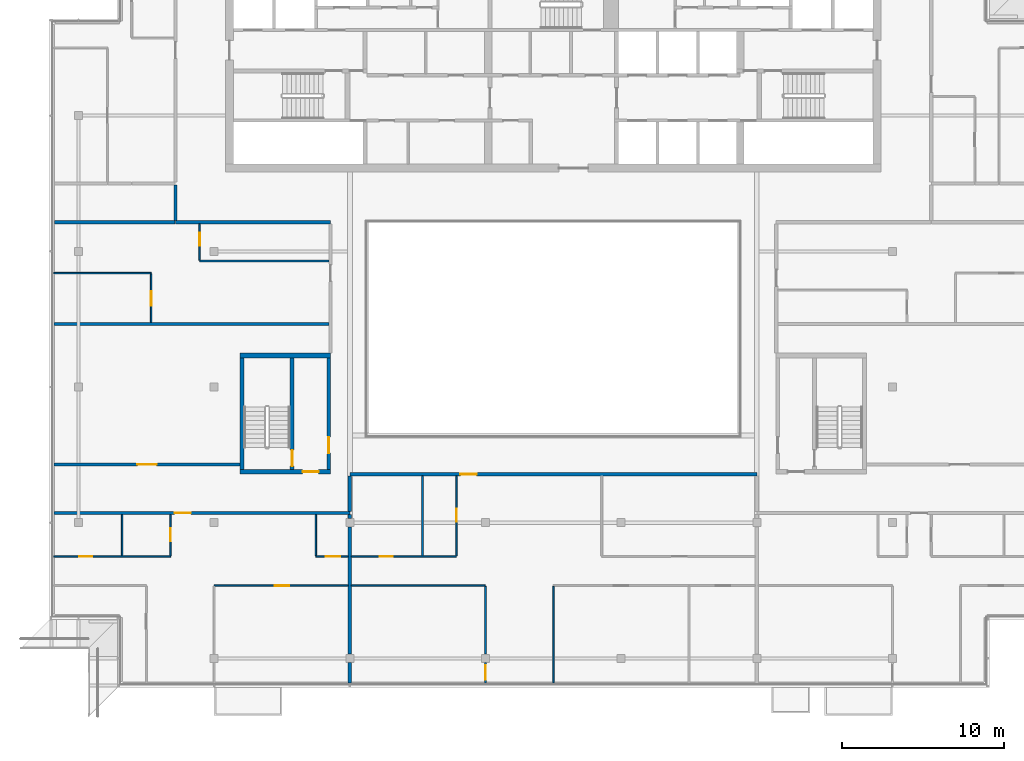
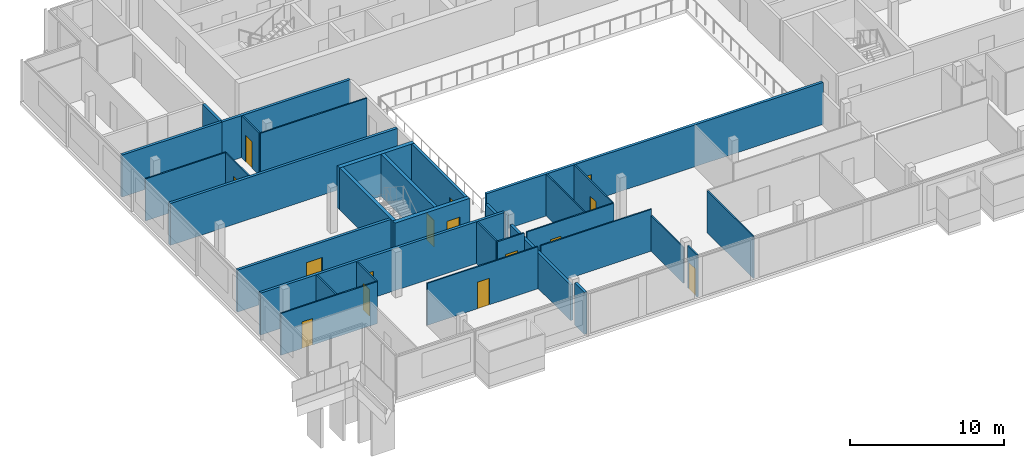
# One storey, part 16 of 24: 33 walls, 15 doors, 15 openings.
"""IFC4 building model written with IfcOpenShell, lengths in metres."""

from ifc_helpers import new_model, si_unit, direction, frame, frame_2d, origin, place, context, subcontext, project, spatial, rectangle, extrude, material, layer, layer_set, type_object, element, fill, save


model = new_model("IFC4")

# Units and contexts
model_context = context("Model", 3, precision=1e-05, world=origin(), true_north=direction((0.0, 1.0)))
body_context = subcontext(model_context, "Body", "Model", "MODEL_VIEW")
ifc_project = project(units=[si_unit("LENGTHUNIT", "METRE"), si_unit("AREAUNIT", "SQUARE_METRE"), si_unit("VOLUMEUNIT", "CUBIC_METRE"), si_unit("PLANEANGLEUNIT", "RADIAN"), si_unit("MASSUNIT", "GRAM", prefix="KILO")], contexts=[model_context])

# Site, building, storey
site_placement = place(None, origin())
site = spatial("IfcSite", under=ifc_project, at=site_placement, CompositionType="ELEMENT")
building_placement = place(site_placement, origin())
building = spatial("IfcBuilding", under=site, at=building_placement, Name="Saffron Gate Tower", CompositionType="ELEMENT")
storey_placement = place(building_placement, frame((0.0, 0.0, 281.550048828125)))
storey = spatial("IfcBuildingStorey", under=building, at=storey_placement, Name="L68", CompositionType="ELEMENT", Elevation=281.550048828125)

# Wall, opening, door
ifc_material_1 = material(Name="Gypsum board partition on steel studs", Category="steel")
ifc_layer_1 = layer(ifc_material_1, 0.199951171875)
ifc_layer_set_1 = layer_set([ifc_layer_1], Name="CW10 Core partition 200")
wall_type_1 = type_object("IfcWallType", Name="CW10 Core partition 200", PredefinedType="PARTITIONING", material=ifc_layer_set_1)
wall_1_placement = place(storey_placement, frame((73.699951171875, 43.5, 0.0), z_axis=(0.0, 0.0, 1.0), x_axis=(0.0, 1.0, 0.0)))
wall_1 = element("IfcWall", 1, at=wall_1_placement, inside=storey, type_object=wall_type_1, Name="Wall CW10-L68-D-4", PredefinedType="PARTITIONING", context=body_context, shape_type="SweptSolid", body=[
    extrude(rectangle(XDim=6.89990234375, YDim=0.199951171875, at=frame_2d((3.449951171875, 0.0))), origin(), (0.0, 0.0, 1.0), 3.320068359375),
])
opening_1_placement = place(wall_1_placement, frame((1.0, 0.0, 0.0)))
opening_1 = element("IfcOpeningElement", 2, at=opening_1_placement, cuts=wall_1, Name="Opening CR-19", PredefinedType="OPENING", context=body_context, shape_type="SweptSolid", body=[
    extrude(rectangle(XDim=1.0, YDim=2.10009765625, at=frame_2d((0.5, 1.050048828125))), frame((0.0, 0.10986328125, 0.0), z_axis=(0.0, -1.0, 0.0), x_axis=(1.0, 0.0, 0.0)), (0.0, 0.0, 1.0), 0.219970703125),
])
ifc_material_2 = material(Name="Steel fire door set", Category="steel")
door_type_1 = type_object("IfcDoorType", Name="CD4 Lobby door 1000x2100 EI 120", OperationType="NOTDEFINED", PredefinedType="DOOR", material=ifc_material_2)
door_1_placement = place(opening_1_placement, origin())
door_1 = element("IfcDoor", 3, at=door_1_placement, inside=storey, type_object=door_type_1, Name="DOOR CR-19", OperationType="SINGLE_SWING_RIGHT", OverallHeight=2.10009765625, OverallWidth=1.0, PredefinedType="DOOR", context=body_context, shape_type="SweptSolid", body=[
    extrude(rectangle(XDim=1.0, YDim=2.10009765625, at=frame_2d((0.5, 1.050048828125))), frame((0.0, 0.02490234375, 0.0), z_axis=(0.0, -1.0, 0.0), x_axis=(1.0, 0.0, 0.0)), (0.0, 0.0, 1.0), 0.050048828125),
])
fill(opening_1, door_1)

# Wall
ifc_material_3 = material(Name="Concrete C50", Category="concrete")
ifc_layer_2 = layer(ifc_material_3, 0.25)
ifc_layer_set_2 = layer_set([ifc_layer_2], Name="CW23 RC core wall 250 C50")
wall_type_2 = type_object("IfcWallType", Name="CW23 RC core wall 250 C50", PredefinedType="SOLIDWALL", material=ifc_layer_set_2)
wall_2_placement = place(storey_placement, frame((68.324951171875, 43.5, 0.0), z_axis=(0.0, 0.0, 1.0), x_axis=(0.0, 1.0, 0.0)))
element("IfcWall", 4, at=wall_2_placement, inside=storey, type_object=wall_type_2, Name="Wall CW23-L68-D-2", PredefinedType="SOLIDWALL", context=body_context, shape_type="SweptSolid", body=[
    extrude(rectangle(XDim=6.89990234375, YDim=0.25, at=frame_2d((3.449951171875, 0.0))), origin(), (0.0, 0.0, 1.0), 3.320068359375),
])

# Wall, opening, door
wall_3_placement = place(storey_placement, frame((71.425048828125, 43.5, 0.0), z_axis=(0.0, 0.0, 1.0), x_axis=(0.0, 1.0, 0.0)))
wall_3 = element("IfcWall", 5, at=wall_3_placement, inside=storey, type_object=wall_type_2, Name="Wall CW23-L68-D-3", PredefinedType="SOLIDWALL", context=body_context, shape_type="SweptSolid", body=[
    extrude(rectangle(XDim=6.89990234375, YDim=0.25, at=frame_2d((3.449951171875, 0.0))), origin(), (0.0, 0.0, 1.0), 3.320068359375),
])
opening_2_placement = place(wall_3_placement, frame((0.199951171875, 0.0, 0.0)))
opening_2 = element("IfcOpeningElement", 6, at=opening_2_placement, cuts=wall_3, Name="Opening CR-20", PredefinedType="OPENING", context=body_context, shape_type="SweptSolid", body=[
    extrude(rectangle(XDim=1.0, YDim=2.10009765625, at=frame_2d((0.5, 1.050048828125))), frame((0.0, 0.135009765625, 0.0), z_axis=(0.0, -1.0, 0.0), x_axis=(1.0, 0.0, 0.0)), (0.0, 0.0, 1.0), 0.27001953125),
])
door_type_2 = type_object("IfcDoorType", Name="CD5 Stair door 1000x2100 EI 120", OperationType="NOTDEFINED", PredefinedType="DOOR", material=ifc_material_2)
door_2_placement = place(opening_2_placement, origin())
door_2 = element("IfcDoor", 7, at=door_2_placement, inside=storey, type_object=door_type_2, Name="DOOR CR-20", OperationType="SINGLE_SWING_LEFT", OverallHeight=2.10009765625, OverallWidth=1.0, PredefinedType="DOOR", context=body_context, shape_type="SweptSolid", body=[
    extrude(rectangle(XDim=1.0, YDim=2.10009765625, at=frame_2d((0.5, 1.050048828125))), frame((0.0, 0.02490234375, 0.0), z_axis=(0.0, -1.0, 0.0), x_axis=(1.0, 0.0, 0.0)), (0.0, 0.0, 1.0), 0.050048828125),
])
fill(opening_2, door_2)

ifc_layer_3 = layer(ifc_material_3, 0.300048828125)
ifc_layer_set_3 = layer_set([ifc_layer_3], Name="CW26 RC core wall 300 C50")
wall_type_3 = type_object("IfcWallType", Name="CW26 RC core wall 300 C50", PredefinedType="SOLIDWALL", material=ifc_layer_set_3)
wall_4_placement = place(storey_placement, frame((68.199951171875, 43.35009765625, 0.0), z_axis=(0.0, 0.0, 1.0), x_axis=(1.0, 0.0, 0.0)))
wall_4 = element("IfcWall", 8, at=wall_4_placement, inside=storey, type_object=wall_type_3, Name="Wall CW26-L68-D-1", PredefinedType="SOLIDWALL", context=body_context, shape_type="SweptSolid", body=[
    extrude(rectangle(XDim=5.60009765625, YDim=0.300048828125, at=frame_2d((2.800048828125, 0.0))), origin(), (0.0, 0.0, 1.0), 3.320068359375),
])
opening_3_placement = place(wall_4_placement, frame((3.875, 0.0, 0.0)))
opening_3 = element("IfcOpeningElement", 9, at=opening_3_placement, cuts=wall_4, Name="Opening CR-18", PredefinedType="OPENING", context=body_context, shape_type="SweptSolid", body=[
    extrude(rectangle(XDim=1.0, YDim=2.10009765625, at=frame_2d((0.5, 1.050048828125))), frame((0.0, 0.16015625, 0.0), z_axis=(0.0, -1.0, 0.0), x_axis=(1.0, 0.0, 0.0)), (0.0, 0.0, 1.0), 0.320068359375),
])
door_3_placement = place(opening_3_placement, origin())
door_3 = element("IfcDoor", 10, at=door_3_placement, inside=storey, type_object=door_type_1, Name="DOOR CR-18", OperationType="SINGLE_SWING_RIGHT", OverallHeight=2.10009765625, OverallWidth=1.0, PredefinedType="DOOR", context=body_context, shape_type="SweptSolid", body=[
    extrude(rectangle(XDim=1.0, YDim=2.10009765625, at=frame_2d((0.5, 1.050048828125))), frame((0.0, 0.02490234375, 0.0), z_axis=(0.0, -1.0, 0.0), x_axis=(1.0, 0.0, 0.0)), (0.0, 0.0, 1.0), 0.050048828125),
])
fill(opening_3, door_3)

# Wall
wall_5_placement = place(storey_placement, frame((68.199951171875, 50.550048828125, 0.0), z_axis=(0.0, 0.0, 1.0), x_axis=(1.0, 0.0, 0.0)))
element("IfcWall", 11, at=wall_5_placement, inside=storey, type_object=wall_type_3, Name="Wall CW26-L68-D-5", PredefinedType="SOLIDWALL", context=body_context, shape_type="SweptSolid", body=[
    extrude(rectangle(XDim=5.60009765625, YDim=0.300048828125, at=frame_2d((2.800048828125, 0.0))), origin(), (0.0, 0.0, 1.0), 3.320068359375),
])

# Wall, opening, door
ifc_material_4 = material(Name="Plasterboard on steel studs", Category="steel")
ifc_layer_4 = layer(ifc_material_4, 0.10009765625)
ifc_layer_set_4 = layer_set([ifc_layer_4], Name="PW1 Partition 100")
wall_type_4 = type_object("IfcWallType", Name="PW1 Partition 100", PredefinedType="PARTITIONING", material=ifc_layer_set_4)
wall_6_placement = place(storey_placement, frame((56.679931640625, 38.10009765625, 0.0), z_axis=(0.0, 0.0, 1.0), x_axis=(1.0, 0.0, 0.0)))
wall_6 = element("IfcWall", 12, at=wall_6_placement, inside=storey, type_object=wall_type_4, Name="Partition E3-3", PredefinedType="PARTITIONING", context=body_context, shape_type="SweptSolid", body=[
    extrude(rectangle(XDim=7.219970703125, YDim=0.10009765625, at=frame_2d((3.60986328125, 0.0))), origin(), (0.0, 0.0, 1.0), 3.320068359375),
])
opening_4_placement = place(wall_6_placement, frame((1.570068359375, 0.0, 0.0)))
opening_4 = element("IfcOpeningElement", 13, at=opening_4_placement, cuts=wall_6, Name="Opening E3-22", PredefinedType="OPENING", context=body_context, shape_type="SweptSolid", body=[
    extrude(rectangle(XDim=0.800048828125, YDim=2.10009765625, at=frame_2d((0.39990234375, 1.050048828125))), frame((0.0, 0.06005859375, 0.0), z_axis=(0.0, -1.0, 0.0), x_axis=(1.0, 0.0, 0.0)), (0.0, 0.0, 1.0), 0.1201171875),
])
ifc_material_5 = material(Name="Timber door set", Category="wood")
door_type_3 = type_object("IfcDoorType", Name="RD2 Bathroom door 800x2100", OperationType="NOTDEFINED", PredefinedType="DOOR", material=ifc_material_5)
door_4_placement = place(opening_4_placement, origin())
door_4 = element("IfcDoor", 14, at=door_4_placement, inside=storey, type_object=door_type_3, Name="Door E3-22", OperationType="SINGLE_SWING_LEFT", OverallHeight=2.10009765625, OverallWidth=0.800048828125, PredefinedType="DOOR", context=body_context, shape_type="SweptSolid", body=[
    extrude(rectangle(XDim=0.800048828125, YDim=2.10009765625, at=frame_2d((0.39990234375, 1.050048828125))), frame((0.0, 0.02490234375, 0.0), z_axis=(0.0, -1.0, 0.0), x_axis=(1.0, 0.0, 0.0)), (0.0, 0.0, 1.0), 0.050048828125),
])
fill(opening_4, door_4)

# Walls
wall_7_placement = place(storey_placement, frame((56.679931640625, 55.64990234375, 0.0), z_axis=(0.0, 0.0, 1.0), x_axis=(1.0, 0.0, 0.0)))
element("IfcWall", 15, at=wall_7_placement, inside=storey, type_object=wall_type_4, Name="Partition E3-15", PredefinedType="PARTITIONING", context=body_context, shape_type="SweptSolid", body=[
    extrude(rectangle(XDim=6.02001953125, YDim=0.10009765625, at=frame_2d((3.010009765625, 0.0))), origin(), (0.0, 0.0, 1.0), 3.320068359375),
])
wall_8_placement = place(storey_placement, frame((65.699951171875, 56.39990234375, 0.0), z_axis=(0.0, 0.0, 1.0), x_axis=(1.0, 0.0, 0.0)))
element("IfcWall", 16, at=wall_8_placement, inside=storey, type_object=wall_type_4, Name="Partition E3-17", PredefinedType="PARTITIONING", context=body_context, shape_type="SweptSolid", body=[
    extrude(rectangle(XDim=8.0, YDim=0.10009765625, at=frame_2d((4.0, 0.0))), origin(), (0.0, 0.0, 1.0), 3.320068359375),
])
wall_9_placement = place(storey_placement, frame((60.89990234375, 40.699951171875, 0.0), z_axis=(0.0, 0.0, 1.0), x_axis=(0.0, -1.0, 0.0)))
element("IfcWall", 17, at=wall_9_placement, inside=storey, type_object=wall_type_4, Name="Partition E3-33", PredefinedType="PARTITIONING", context=body_context, shape_type="SweptSolid", body=[
    extrude(rectangle(XDim=2.550048828125, YDim=0.10009765625, at=frame_2d((1.27490234375, 0.0))), origin(), (0.0, 0.0, 1.0), 3.320068359375),
])

# Wall, opening, door
wall_10_placement = place(storey_placement, frame((62.699951171875, 52.60009765625, 0.0), z_axis=(0.0, 0.0, 1.0), x_axis=(0.0, 1.0, 0.0)))
wall_10 = element("IfcWall", 18, at=wall_10_placement, inside=storey, type_object=wall_type_4, Name="Partition E3-36", PredefinedType="PARTITIONING", context=body_context, shape_type="SweptSolid", body=[
    extrude(rectangle(XDim=3.0, YDim=0.10009765625, at=frame_2d((1.5, 0.0))), origin(), (0.0, 0.0, 1.0), 3.320068359375),
])
opening_5_placement = place(wall_10_placement, frame((1.02490234375, 0.0, 0.0)))
opening_5 = element("IfcOpeningElement", 19, at=opening_5_placement, cuts=wall_10, Name="Opening E3-18", PredefinedType="OPENING", context=body_context, shape_type="SweptSolid", body=[
    extrude(rectangle(XDim=0.89990234375, YDim=2.10009765625, at=frame_2d((0.449951171875, 1.050048828125))), frame((0.0, 0.06005859375, 0.0), z_axis=(0.0, -1.0, 0.0), x_axis=(1.0, 0.0, 0.0)), (0.0, 0.0, 1.0), 0.1201171875),
])
door_type_4 = type_object("IfcDoorType", Name="RD1 Room door 900x2100", OperationType="NOTDEFINED", PredefinedType="DOOR", material=ifc_material_5)
door_5_placement = place(opening_5_placement, origin())
door_5 = element("IfcDoor", 20, at=door_5_placement, inside=storey, type_object=door_type_4, Name="Door E3-18", OperationType="SINGLE_SWING_LEFT", OverallHeight=2.10009765625, OverallWidth=0.89990234375, PredefinedType="DOOR", context=body_context, shape_type="SweptSolid", body=[
    extrude(rectangle(XDim=0.89990234375, YDim=2.10009765625, at=frame_2d((0.449951171875, 1.050048828125))), frame((0.0, 0.02490234375, 0.0), z_axis=(0.0, -1.0, 0.0), x_axis=(1.0, 0.0, 0.0)), (0.0, 0.0, 1.0), 0.050048828125),
])
fill(opening_5, door_5)

wall_11_placement = place(storey_placement, frame((63.89990234375, 38.14990234375, 0.0), z_axis=(0.0, 0.0, 1.0), x_axis=(0.0, 1.0, 0.0)))
wall_11 = element("IfcWall", 21, at=wall_11_placement, inside=storey, type_object=wall_type_4, Name="Partition E3-37", PredefinedType="PARTITIONING", context=body_context, shape_type="SweptSolid", body=[
    extrude(rectangle(XDim=2.550048828125, YDim=0.10009765625, at=frame_2d((1.27490234375, 0.0))), origin(), (0.0, 0.0, 1.0), 3.320068359375),
])
opening_6_placement = place(wall_11_placement, frame((0.89990234375, 0.0, 0.0)))
opening_6 = element("IfcOpeningElement", 22, at=opening_6_placement, cuts=wall_11, Name="Opening E3-23", PredefinedType="OPENING", context=body_context, shape_type="SweptSolid", body=[
    extrude(rectangle(XDim=0.800048828125, YDim=2.10009765625, at=frame_2d((0.39990234375, 1.050048828125))), frame((0.0, 0.06005859375, 0.0), z_axis=(0.0, -1.0, 0.0), x_axis=(1.0, 0.0, 0.0)), (0.0, 0.0, 1.0), 0.1201171875),
])
door_6_placement = place(opening_6_placement, origin())
door_6 = element("IfcDoor", 23, at=door_6_placement, inside=storey, type_object=door_type_3, Name="Door E3-23", OperationType="SINGLE_SWING_RIGHT", OverallHeight=2.10009765625, OverallWidth=0.800048828125, PredefinedType="DOOR", context=body_context, shape_type="SweptSolid", body=[
    extrude(rectangle(XDim=0.800048828125, YDim=2.10009765625, at=frame_2d((0.39990234375, 1.050048828125))), frame((0.0, 0.02490234375, 0.0), z_axis=(0.0, -1.0, 0.0), x_axis=(1.0, 0.0, 0.0)), (0.0, 0.0, 1.0), 0.050048828125),
])
fill(opening_6, door_6)

wall_12_placement = place(storey_placement, frame((65.699951171875, 58.699951171875, 0.0), z_axis=(0.0, 0.0, 1.0), x_axis=(0.0, -1.0, 0.0)))
wall_12 = element("IfcWall", 24, at=wall_12_placement, inside=storey, type_object=wall_type_4, Name="Partition E3-40", PredefinedType="PARTITIONING", context=body_context, shape_type="SweptSolid", body=[
    extrude(rectangle(XDim=2.25, YDim=0.10009765625, at=frame_2d((1.125, 0.0))), origin(), (0.0, 0.0, 1.0), 3.320068359375),
])
opening_7_placement = place(wall_12_placement, frame((0.550048828125, 0.0, 0.0)))
opening_7 = element("IfcOpeningElement", 25, at=opening_7_placement, cuts=wall_12, Name="Opening E3-28", PredefinedType="OPENING", context=body_context, shape_type="SweptSolid", body=[
    extrude(rectangle(XDim=0.800048828125, YDim=2.10009765625, at=frame_2d((0.39990234375, 1.050048828125))), frame((0.0, 0.06005859375, 0.0), z_axis=(0.0, -1.0, 0.0), x_axis=(1.0, 0.0, 0.0)), (0.0, 0.0, 1.0), 0.1201171875),
])
door_7_placement = place(opening_7_placement, origin())
door_7 = element("IfcDoor", 26, at=door_7_placement, inside=storey, type_object=door_type_3, Name="Door E3-28", OperationType="SINGLE_SWING_LEFT", OverallHeight=2.10009765625, OverallWidth=0.800048828125, PredefinedType="DOOR", context=body_context, shape_type="SweptSolid", body=[
    extrude(rectangle(XDim=0.800048828125, YDim=2.10009765625, at=frame_2d((0.39990234375, 1.050048828125))), frame((0.0, 0.02490234375, 0.0), z_axis=(0.0, -1.0, 0.0), x_axis=(1.0, 0.0, 0.0)), (0.0, 0.0, 1.0), 0.050048828125),
])
fill(opening_7, door_7)

# Walls
wall_13_placement = place(storey_placement, frame((72.89990234375, 40.699951171875, 0.0), z_axis=(0.0, 0.0, 1.0), x_axis=(0.0, -1.0, 0.0)))
element("IfcWall", 27, at=wall_13_placement, inside=storey, type_object=wall_type_4, Name="Partition E3-43", PredefinedType="PARTITIONING", context=body_context, shape_type="SweptSolid", body=[
    extrude(rectangle(XDim=2.550048828125, YDim=0.10009765625, at=frame_2d((1.27490234375, 0.0))), origin(), (0.0, 0.0, 1.0), 3.320068359375),
])
wall_14_placement = place(storey_placement, frame((79.5, 43.10009765625, 0.0), z_axis=(0.0, 0.0, 1.0), x_axis=(0.0, -1.0, 0.0)))
element("IfcWall", 28, at=wall_14_placement, inside=storey, type_object=wall_type_4, Name="Partition E3-49", PredefinedType="PARTITIONING", context=body_context, shape_type="SweptSolid", body=[
    extrude(rectangle(XDim=4.9501953125, YDim=0.10009765625, at=frame_2d((2.47509765625, 0.0))), origin(), (0.0, 0.0, 1.0), 3.320068359375),
])

# Wall, opening, door
wall_15_placement = place(storey_placement, frame((81.60009765625, 38.14990234375, 0.0), z_axis=(0.0, 0.0, 1.0), x_axis=(0.0, 1.0, 0.0)))
wall_15 = element("IfcWall", 29, at=wall_15_placement, inside=storey, type_object=wall_type_4, Name="Partition E3-50", PredefinedType="PARTITIONING", context=body_context, shape_type="SweptSolid", body=[
    extrude(rectangle(XDim=4.9501953125, YDim=0.10009765625, at=frame_2d((2.47509765625, 0.0))), origin(), (0.0, 0.0, 1.0), 3.320068359375),
])
opening_8_placement = place(wall_15_placement, frame((2.10009765625, 0.0, 0.0)))
opening_8 = element("IfcOpeningElement", 30, at=opening_8_placement, cuts=wall_15, Name="Opening E3-25", PredefinedType="OPENING", context=body_context, shape_type="SweptSolid", body=[
    extrude(rectangle(XDim=0.800048828125, YDim=2.10009765625, at=frame_2d((0.39990234375, 1.050048828125))), frame((0.0, 0.06005859375, 0.0), z_axis=(0.0, -1.0, 0.0), x_axis=(1.0, 0.0, 0.0)), (0.0, 0.0, 1.0), 0.1201171875),
])
door_8_placement = place(opening_8_placement, origin())
door_8 = element("IfcDoor", 31, at=door_8_placement, inside=storey, type_object=door_type_3, Name="Door E3-25", OperationType="SINGLE_SWING_RIGHT", OverallHeight=2.10009765625, OverallWidth=0.800048828125, PredefinedType="DOOR", context=body_context, shape_type="SweptSolid", body=[
    extrude(rectangle(XDim=0.800048828125, YDim=2.10009765625, at=frame_2d((0.39990234375, 1.050048828125))), frame((0.0, 0.02490234375, 0.0), z_axis=(0.0, -1.0, 0.0), x_axis=(1.0, 0.0, 0.0)), (0.0, 0.0, 1.0), 0.050048828125),
])
fill(opening_8, door_8)

wall_16_placement = place(storey_placement, frame((83.39990234375, 30.280029296875, 0.0), z_axis=(0.0, 0.0, 1.0), x_axis=(0.0, 1.0, 0.0)))
wall_16 = element("IfcWall", 32, at=wall_16_placement, inside=storey, type_object=wall_type_4, Name="Partition E3-51", PredefinedType="PARTITIONING", context=body_context, shape_type="SweptSolid", body=[
    extrude(rectangle(XDim=1.25, YDim=0.10009765625, at=frame_2d((0.625, 0.0))), origin(), (0.0, 0.0, 1.0), 3.320068359375),
])
opening_9_placement = place(wall_16_placement, frame((0.199951171875, 0.0, 0.0)))
opening_9 = element("IfcOpeningElement", 33, at=opening_9_placement, cuts=wall_16, Name="Opening E3-11", PredefinedType="OPENING", context=body_context, shape_type="SweptSolid", body=[
    extrude(rectangle(XDim=0.89990234375, YDim=2.10009765625, at=frame_2d((0.449951171875, 1.050048828125))), frame((0.0, 0.06005859375, 0.0), z_axis=(0.0, -1.0, 0.0), x_axis=(1.0, 0.0, 0.0)), (0.0, 0.0, 1.0), 0.1201171875),
])
door_9_placement = place(opening_9_placement, origin())
door_9 = element("IfcDoor", 34, at=door_9_placement, inside=storey, type_object=door_type_4, Name="Door E3-11", OperationType="SINGLE_SWING_RIGHT", OverallHeight=2.10009765625, OverallWidth=0.89990234375, PredefinedType="DOOR", context=body_context, shape_type="SweptSolid", body=[
    extrude(rectangle(XDim=0.89990234375, YDim=2.10009765625, at=frame_2d((0.449951171875, 1.050048828125))), frame((0.0, 0.02490234375, 0.0), z_axis=(0.0, -1.0, 0.0), x_axis=(1.0, 0.0, 0.0)), (0.0, 0.0, 1.0), 0.050048828125),
])
fill(opening_9, door_9)

# Walls
wall_17_placement = place(storey_placement, frame((83.39990234375, 36.25, 0.0), z_axis=(0.0, 0.0, 1.0), x_axis=(0.0, -1.0, 0.0)))
element("IfcWall", 35, at=wall_17_placement, inside=storey, type_object=wall_type_4, Name="Partition E3-52", PredefinedType="PARTITIONING", context=body_context, shape_type="SweptSolid", body=[
    extrude(rectangle(XDim=4.179931640625, YDim=0.10009765625, at=frame_2d((2.08984375, 0.0))), origin(), (0.0, 0.0, 1.0), 2.829833984375),
])
wall_18_placement = place(storey_placement, frame((87.60009765625, 36.25, 0.0), z_axis=(0.0, 0.0, 1.0), x_axis=(0.0, -1.0, 0.0)))
element("IfcWall", 36, at=wall_18_placement, inside=storey, type_object=wall_type_4, Name="Partition E3-53", PredefinedType="PARTITIONING", context=body_context, shape_type="SweptSolid", body=[
    extrude(rectangle(XDim=5.969970703125, YDim=0.10009765625, at=frame_2d((2.98486328125, 0.0))), origin(), (0.0, 0.0, 1.0), 3.320068359375),
])

# Wall, opening, door
wall_19_placement = place(storey_placement, frame((74.89990234375, 36.300048828125, 0.0), z_axis=(0.0, 0.0, 1.0), x_axis=(-1.0, 0.0, 0.0)))
wall_19 = element("IfcWall", 37, at=wall_19_placement, inside=storey, type_object=wall_type_4, Name="Partition E3-74", PredefinedType="PARTITIONING", context=body_context, shape_type="SweptSolid", body=[
    extrude(rectangle(XDim=8.2998046875, YDim=0.10009765625, at=frame_2d((4.14990234375, 0.0))), origin(), (0.0, 0.0, 1.0), 3.320068359375),
])
opening_10_placement = place(wall_19_placement, frame((3.64990234375, 0.0, 0.0)))
opening_10 = element("IfcOpeningElement", 38, at=opening_10_placement, cuts=wall_19, Name="Opening E3-9", PredefinedType="OPENING", context=body_context, shape_type="SweptSolid", body=[
    extrude(rectangle(XDim=0.89990234375, YDim=2.10009765625, at=frame_2d((0.449951171875, 1.050048828125))), frame((0.0, 0.06005859375, 0.0), z_axis=(0.0, -1.0, 0.0), x_axis=(1.0, 0.0, 0.0)), (0.0, 0.0, 1.0), 0.1201171875),
])
door_10_placement = place(opening_10_placement, origin())
door_10 = element("IfcDoor", 39, at=door_10_placement, inside=storey, type_object=door_type_4, Name="Door E3-9", OperationType="SINGLE_SWING_LEFT", OverallHeight=2.10009765625, OverallWidth=0.89990234375, PredefinedType="DOOR", context=body_context, shape_type="SweptSolid", body=[
    extrude(rectangle(XDim=0.89990234375, YDim=2.10009765625, at=frame_2d((0.449951171875, 1.050048828125))), frame((0.0, 0.02490234375, 0.0), z_axis=(0.0, -1.0, 0.0), x_axis=(1.0, 0.0, 0.0)), (0.0, 0.0, 1.0), 0.050048828125),
])
fill(opening_10, door_10)

# Wall
wall_20_placement = place(storey_placement, frame((75.10009765625, 36.300048828125, 0.0), z_axis=(0.0, 0.0, 1.0), x_axis=(1.0, 0.0, 0.0)))
element("IfcWall", 40, at=wall_20_placement, inside=storey, type_object=wall_type_4, Name="Partition E3-75", PredefinedType="PARTITIONING", context=body_context, shape_type="SweptSolid", body=[
    extrude(rectangle(XDim=8.2998046875, YDim=0.10009765625, at=frame_2d((4.14990234375, 0.0))), origin(), (0.0, 0.0, 1.0), 3.320068359375),
])

# Wall, opening, door
wall_21_placement = place(storey_placement, frame((72.89990234375, 38.10009765625, 0.0), z_axis=(0.0, 0.0, 1.0), x_axis=(1.0, 0.0, 0.0)))
wall_21 = element("IfcWall", 41, at=wall_21_placement, inside=storey, type_object=wall_type_4, Name="Partition E3-78", PredefinedType="PARTITIONING", context=body_context, shape_type="SweptSolid", body=[
    extrude(rectangle(XDim=2.0, YDim=0.10009765625, at=frame_2d((1.0, 0.0))), origin(), (0.0, 0.0, 1.0), 3.320068359375),
])
opening_11_placement = place(wall_21_placement, frame((0.60009765625, 0.0, 0.0)))
opening_11 = element("IfcOpeningElement", 42, at=opening_11_placement, cuts=wall_21, Name="Opening E3-10", PredefinedType="OPENING", context=body_context, shape_type="SweptSolid", body=[
    extrude(rectangle(XDim=0.89990234375, YDim=2.10009765625, at=frame_2d((0.449951171875, 1.050048828125))), frame((0.0, 0.06005859375, 0.0), z_axis=(0.0, -1.0, 0.0), x_axis=(1.0, 0.0, 0.0)), (0.0, 0.0, 1.0), 0.1201171875),
])
door_11_placement = place(opening_11_placement, origin())
door_11 = element("IfcDoor", 43, at=door_11_placement, inside=storey, type_object=door_type_4, Name="Door E3-10", OperationType="SINGLE_SWING_RIGHT", OverallHeight=2.10009765625, OverallWidth=0.89990234375, PredefinedType="DOOR", context=body_context, shape_type="SweptSolid", body=[
    extrude(rectangle(XDim=0.89990234375, YDim=2.10009765625, at=frame_2d((0.449951171875, 1.050048828125))), frame((0.0, 0.02490234375, 0.0), z_axis=(0.0, -1.0, 0.0), x_axis=(1.0, 0.0, 0.0)), (0.0, 0.0, 1.0), 0.050048828125),
])
fill(opening_11, door_11)

wall_22_placement = place(storey_placement, frame((75.10009765625, 38.10009765625, 0.0), z_axis=(0.0, 0.0, 1.0), x_axis=(1.0, 0.0, 0.0)))
wall_22 = element("IfcWall", 44, at=wall_22_placement, inside=storey, type_object=wall_type_4, Name="Partition E3-79", PredefinedType="PARTITIONING", context=body_context, shape_type="SweptSolid", body=[
    extrude(rectangle(XDim=6.5, YDim=0.10009765625, at=frame_2d((3.25, 0.0))), origin(), (0.0, 0.0, 1.0), 3.320068359375),
])
opening_12_placement = place(wall_22_placement, frame((1.75, 0.0, 0.0)))
opening_12 = element("IfcOpeningElement", 45, at=opening_12_placement, cuts=wall_22, Name="Opening E3-24", PredefinedType="OPENING", context=body_context, shape_type="SweptSolid", body=[
    extrude(rectangle(XDim=0.800048828125, YDim=2.10009765625, at=frame_2d((0.39990234375, 1.050048828125))), frame((0.0, 0.06005859375, 0.0), z_axis=(0.0, -1.0, 0.0), x_axis=(1.0, 0.0, 0.0)), (0.0, 0.0, 1.0), 0.1201171875),
])
door_12_placement = place(opening_12_placement, origin())
door_12 = element("IfcDoor", 46, at=door_12_placement, inside=storey, type_object=door_type_3, Name="Door E3-24", OperationType="SINGLE_SWING_LEFT", OverallHeight=2.10009765625, OverallWidth=0.800048828125, PredefinedType="DOOR", context=body_context, shape_type="SweptSolid", body=[
    extrude(rectangle(XDim=0.800048828125, YDim=2.10009765625, at=frame_2d((0.39990234375, 1.050048828125))), frame((0.0, 0.02490234375, 0.0), z_axis=(0.0, -1.0, 0.0), x_axis=(1.0, 0.0, 0.0)), (0.0, 0.0, 1.0), 0.050048828125),
])
fill(opening_12, door_12)

# Walls
ifc_material_6 = material(Name="Clay brick masonry, rendered", Category="masonry")
ifc_layer_5 = layer(ifc_material_6, 0.199951171875)
ifc_layer_set_5 = layer_set([ifc_layer_5], Name="PW2 Demising wall 200")
wall_type_5 = type_object("IfcWallType", Name="PW2 Demising wall 200", PredefinedType="PARTITIONING", material=ifc_layer_set_5)
wall_23_placement = place(storey_placement, frame((75.0, 31.530029296875, 0.0), z_axis=(0.0, 0.0, 1.0), x_axis=(0.0, -1.0, 0.0)))
element("IfcWall", 47, at=wall_23_placement, inside=storey, type_object=wall_type_5, Name="Wall E3-46", PredefinedType="PARTITIONING", context=body_context, shape_type="SweptSolid", body=[
    extrude(rectangle(XDim=1.25, YDim=0.199951171875, at=frame_2d((0.625, 0.0))), origin(), (0.0, 0.0, 1.0), 3.320068359375),
])
wall_24_placement = place(storey_placement, frame((75.0, 39.929931640625, 0.0), z_axis=(0.0, 0.0, 1.0), x_axis=(0.0, -1.0, 0.0)))
element("IfcWall", 48, at=wall_24_placement, inside=storey, type_object=wall_type_5, Name="Wall E3-47", PredefinedType="PARTITIONING", context=body_context, shape_type="SweptSolid", body=[
    extrude(rectangle(XDim=7.85986328125, YDim=0.199951171875, at=frame_2d((3.929931640625, 0.0))), origin(), (0.0, 0.0, 1.0), 2.829833984375),
])
wall_25_placement = place(storey_placement, frame((75.0, 40.699951171875, 0.0), z_axis=(0.0, 0.0, 1.0), x_axis=(0.0, -1.0, 0.0)))
element("IfcWall", 49, at=wall_25_placement, inside=storey, type_object=wall_type_5, Name="Wall E3-48", PredefinedType="PARTITIONING", context=body_context, shape_type="SweptSolid", body=[
    extrude(rectangle(XDim=0.22998046875, YDim=0.199951171875, at=frame_2d((0.114990234375, 0.0))), origin(), (0.0, 0.0, 1.0), 3.320068359375),
])

# Wall, opening, door
ifc_layer_6 = layer(ifc_material_6, 0.199951171875)
ifc_layer_set_6 = layer_set([ifc_layer_6], Name="PW3 Corridor wall 200")
wall_type_6 = type_object("IfcWallType", Name="PW3 Corridor wall 200", PredefinedType="PARTITIONING", material=ifc_layer_set_6)
wall_26_placement = place(storey_placement, frame((75.0, 40.800048828125, 0.0), z_axis=(0.0, 0.0, 1.0), x_axis=(-1.0, 0.0, 0.0)))
wall_26 = element("IfcWall", 50, at=wall_26_placement, inside=storey, type_object=wall_type_6, Name="Wall E3-7", PredefinedType="PARTITIONING", context=body_context, shape_type="SweptSolid", body=[
    extrude(rectangle(XDim=18.320068359375, YDim=0.199951171875, at=frame_2d((9.16015625, 0.0))), origin(), (0.0, 0.0, 1.0), 3.320068359375),
])
opening_13_placement = place(wall_26_placement, frame((9.85009765625, 0.0, 0.0)))
opening_13 = element("IfcOpeningElement", 51, at=opening_13_placement, cuts=wall_26, Name="Opening E3-1", PredefinedType="OPENING", context=body_context, shape_type="SweptSolid", body=[
    extrude(rectangle(XDim=1.0, YDim=2.10009765625, at=frame_2d((0.5, 1.050048828125))), frame((0.0, 0.10986328125, 0.0), z_axis=(0.0, -1.0, 0.0), x_axis=(1.0, 0.0, 0.0)), (0.0, 0.0, 1.0), 0.219970703125),
])
ifc_material_7 = material(Name="Timber fire door set", Category="wood")
door_type_5 = type_object("IfcDoorType", Name="FD1 Flat entry door 1000x2100", OperationType="NOTDEFINED", PredefinedType="DOOR", material=ifc_material_7)
door_13_placement = place(opening_13_placement, origin())
door_13 = element("IfcDoor", 52, at=door_13_placement, inside=storey, type_object=door_type_5, Name="Door E3-1", OperationType="SINGLE_SWING_LEFT", OverallHeight=2.10009765625, OverallWidth=1.0, PredefinedType="DOOR", context=body_context, shape_type="SweptSolid", body=[
    extrude(rectangle(XDim=1.0, YDim=2.10009765625, at=frame_2d((0.5, 1.050048828125))), frame((0.0, 0.02490234375, 0.0), z_axis=(0.0, -1.0, 0.0), x_axis=(1.0, 0.0, 0.0)), (0.0, 0.0, 1.0), 0.050048828125),
])
fill(opening_13, door_13)

wall_27_placement = place(storey_placement, frame((100.199951171875, 43.199951171875, 0.0), z_axis=(0.0, 0.0, 1.0), x_axis=(-1.0, 0.0, 0.0)))
wall_27 = element("IfcWall", 53, at=wall_27_placement, inside=storey, type_object=wall_type_6, Name="Wall E3-9", PredefinedType="PARTITIONING", context=body_context, shape_type="SweptSolid", body=[
    extrude(rectangle(XDim=25.199951171875, YDim=0.199951171875, at=frame_2d((12.60009765625, 0.0))), origin(), (0.0, 0.0, 1.0), 3.320068359375),
])
opening_14_placement = place(wall_27_placement, frame((17.35009765625, 0.0, 0.0)))
opening_14 = element("IfcOpeningElement", 54, at=opening_14_placement, cuts=wall_27, Name="Opening E3-2", PredefinedType="OPENING", context=body_context, shape_type="SweptSolid", body=[
    extrude(rectangle(XDim=1.0, YDim=2.10009765625, at=frame_2d((0.5, 1.050048828125))), frame((0.0, 0.10986328125, 0.0), z_axis=(0.0, -1.0, 0.0), x_axis=(1.0, 0.0, 0.0)), (0.0, 0.0, 1.0), 0.219970703125),
])
door_14_placement = place(opening_14_placement, origin())
door_14 = element("IfcDoor", 55, at=door_14_placement, inside=storey, type_object=door_type_5, Name="Door E3-2", OperationType="SINGLE_SWING_RIGHT", OverallHeight=2.10009765625, OverallWidth=1.0, PredefinedType="DOOR", context=body_context, shape_type="SweptSolid", body=[
    extrude(rectangle(XDim=1.0, YDim=2.10009765625, at=frame_2d((0.5, 1.050048828125))), frame((0.0, 0.02490234375, 0.0), z_axis=(0.0, -1.0, 0.0), x_axis=(1.0, 0.0, 0.0)), (0.0, 0.0, 1.0), 0.050048828125),
])
fill(opening_14, door_14)

wall_28_placement = place(storey_placement, frame((56.679931640625, 43.800048828125, 0.0), z_axis=(0.0, 0.0, 1.0), x_axis=(1.0, 0.0, 0.0)))
wall_28 = element("IfcWall", 56, at=wall_28_placement, inside=storey, type_object=wall_type_6, Name="Wall E3-10", PredefinedType="PARTITIONING", context=body_context, shape_type="SweptSolid", body=[
    extrude(rectangle(XDim=11.52001953125, YDim=0.199951171875, at=frame_2d((5.760009765625, 0.0))), origin(), (0.0, 0.0, 1.0), 3.320068359375),
])
opening_15_placement = place(wall_28_placement, frame((5.159912109375, 0.0, 0.0)))
opening_15 = element("IfcOpeningElement", 57, at=opening_15_placement, cuts=wall_28, Name="Opening E3-33", PredefinedType="OPENING", context=body_context, shape_type="SweptSolid", body=[
    extrude(rectangle(XDim=1.199951171875, YDim=2.10009765625, at=frame_2d((0.60009765625, 1.050048828125))), frame((0.0, 0.10986328125, 0.0), z_axis=(0.0, -1.0, 0.0), x_axis=(1.0, 0.0, 0.0)), (0.0, 0.0, 1.0), 0.219970703125),
])
door_type_6 = type_object("IfcDoorType", Name="HD1 Hall door 1200x2100", OperationType="NOTDEFINED", PredefinedType="DOOR", material=ifc_material_5)
door_15_placement = place(opening_15_placement, origin())
door_15 = element("IfcDoor", 58, at=door_15_placement, inside=storey, type_object=door_type_6, Name="Door E3-33", OperationType="SINGLE_SWING_LEFT", OverallHeight=2.10009765625, OverallWidth=1.199951171875, PredefinedType="DOOR", context=body_context, shape_type="SweptSolid", body=[
    extrude(rectangle(XDim=1.199951171875, YDim=2.10009765625, at=frame_2d((0.60009765625, 1.050048828125))), frame((0.0, 0.02490234375, 0.0), z_axis=(0.0, -1.0, 0.0), x_axis=(1.0, 0.0, 0.0)), (0.0, 0.0, 1.0), 0.050048828125),
])
fill(opening_15, door_15)

# Walls
wall_29_placement = place(storey_placement, frame((64.199951171875, 58.800048828125, 0.0), z_axis=(0.0, 0.0, 1.0), x_axis=(1.0, 0.0, 0.0)))
element("IfcWall", 59, at=wall_29_placement, inside=storey, type_object=wall_type_6, Name="Wall E3-18", PredefinedType="PARTITIONING", context=body_context, shape_type="SweptSolid", body=[
    extrude(rectangle(XDim=9.60009765625, YDim=0.199951171875, at=frame_2d((4.800048828125, 0.0))), origin(), (0.0, 0.0, 1.0), 3.320068359375),
])
wall_30_placement = place(storey_placement, frame((75.0, 43.10009765625, 0.0), z_axis=(0.0, 0.0, 1.0), x_axis=(0.0, -1.0, 0.0)))
element("IfcWall", 60, at=wall_30_placement, inside=storey, type_object=wall_type_6, Name="Wall E3-45", PredefinedType="PARTITIONING", context=body_context, shape_type="SweptSolid", body=[
    extrude(rectangle(XDim=2.2001953125, YDim=0.199951171875, at=frame_2d((1.10009765625, 0.0))), origin(), (0.0, 0.0, 1.0), 2.530029296875),
])
ifc_layer_7 = layer(ifc_material_6, 0.199951171875)
ifc_layer_set_7 = layer_set([ifc_layer_7], Name="PW5 Room wall 200")
wall_type_7 = type_object("IfcWallType", Name="PW5 Room wall 200", PredefinedType="PARTITIONING", material=ifc_layer_set_7)
wall_31_placement = place(storey_placement, frame((56.679931640625, 52.5, 0.0), z_axis=(0.0, 0.0, 1.0), x_axis=(1.0, 0.0, 0.0)))
element("IfcWall", 61, at=wall_31_placement, inside=storey, type_object=wall_type_7, Name="Wall E3-12", PredefinedType="PARTITIONING", context=body_context, shape_type="SweptSolid", body=[
    extrude(rectangle(XDim=17.02001953125, YDim=0.199951171875, at=frame_2d((8.510009765625, 0.0))), origin(), (0.0, 0.0, 1.0), 3.320068359375),
])
wall_32_placement = place(storey_placement, frame((56.699951171875, 58.800048828125, 0.0), z_axis=(0.0, 0.0, 1.0), x_axis=(1.0, 0.0, 0.0)))
element("IfcWall", 62, at=wall_32_placement, inside=storey, type_object=wall_type_7, Name="Wall E3-20", PredefinedType="PARTITIONING", context=body_context, shape_type="SweptSolid", body=[
    extrude(rectangle(XDim=7.47998046875, YDim=0.199951171875, at=frame_2d((3.739990234375, 0.0))), origin(), (0.0, 0.0, 1.0), 3.320068359375),
])
wall_33_placement = place(storey_placement, frame((64.199951171875, 61.10009765625, 0.0), z_axis=(0.0, 0.0, 1.0), x_axis=(0.0, -1.0, 0.0)))
element("IfcWall", 63, at=wall_33_placement, inside=storey, type_object=wall_type_7, Name="Wall E3-39", PredefinedType="PARTITIONING", context=body_context, shape_type="SweptSolid", body=[
    extrude(rectangle(XDim=2.2001953125, YDim=0.199951171875, at=frame_2d((1.10009765625, 0.0))), origin(), (0.0, 0.0, 1.0), 3.320068359375),
])

save(model, "model.ifc")
